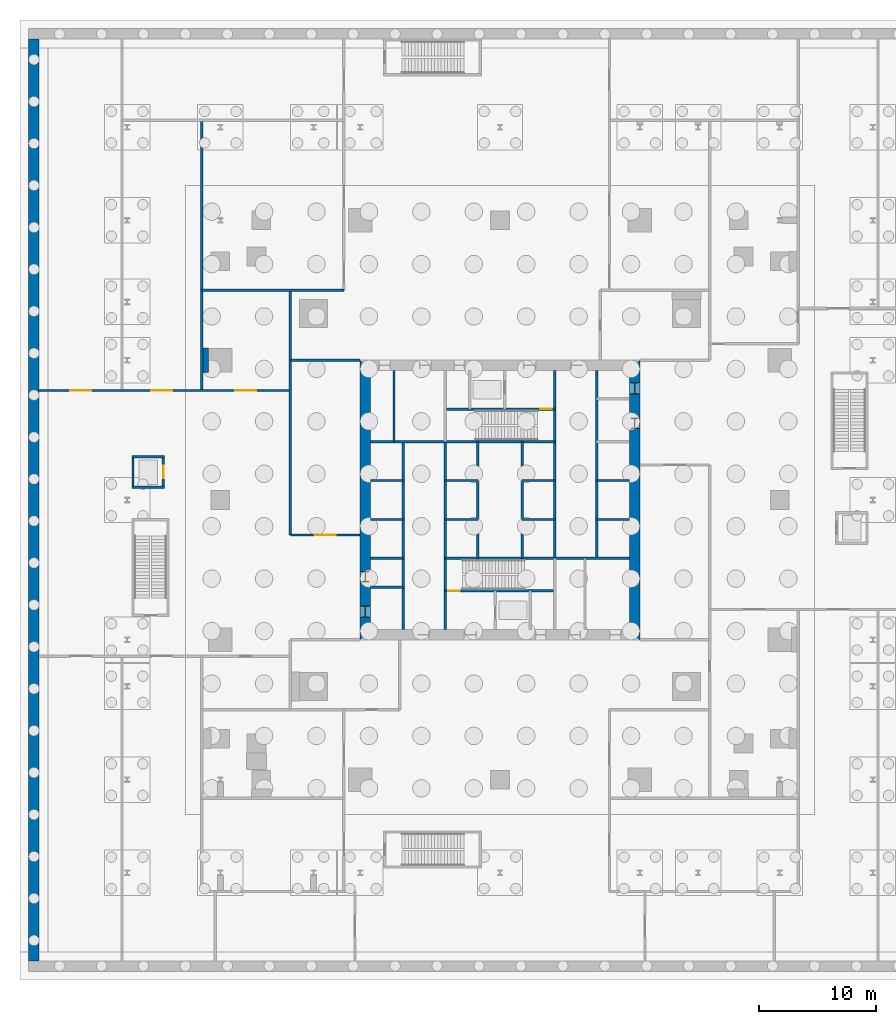
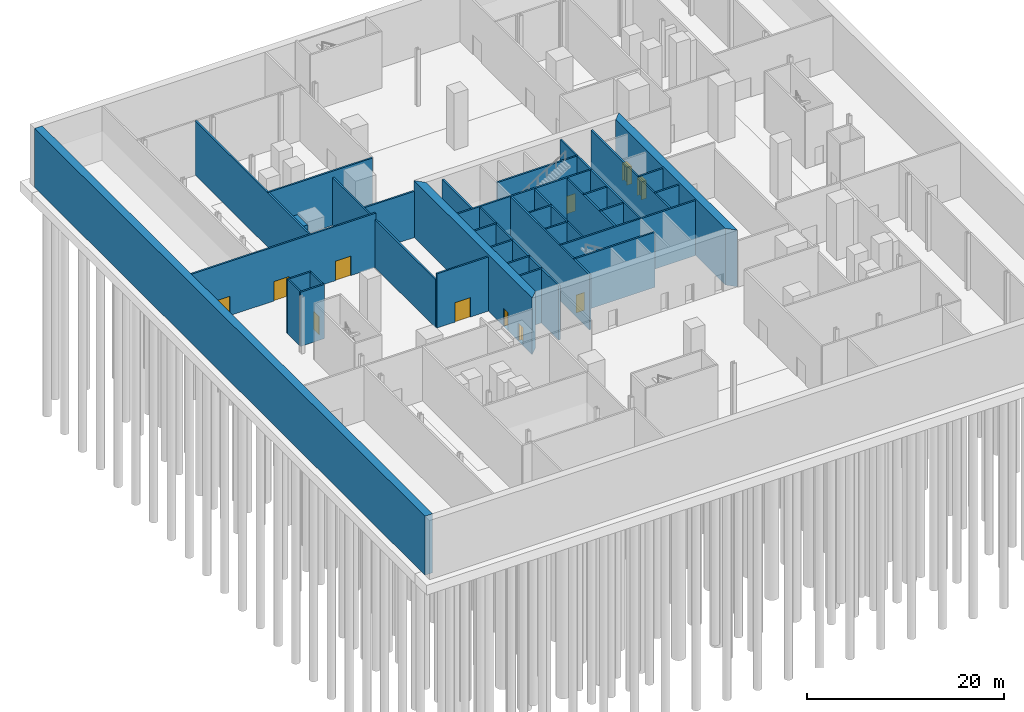
# One storey, part 8 of 15: 35 walls, 11 doors, 11 openings.
"""IFC4 building model written with IfcOpenShell, lengths in metres."""

from ifc_helpers import new_model, si_unit, direction, frame, frame_2d, origin, place, context, subcontext, project, spatial, polyline, rectangle, outline, extrude, material, layer, layer_set, type_object, element, fill, save


model = new_model("IFC4")

# Units and contexts
model_context = context("Model", 3, precision=1e-05, world=origin(), true_north=direction((0.0, 1.0)))
body_context = subcontext(model_context, "Body", "Model", "MODEL_VIEW")
ifc_project = project(units=[si_unit("LENGTHUNIT", "METRE"), si_unit("AREAUNIT", "SQUARE_METRE"), si_unit("VOLUMEUNIT", "CUBIC_METRE"), si_unit("PLANEANGLEUNIT", "RADIAN"), si_unit("MASSUNIT", "GRAM", prefix="KILO")], contexts=[model_context])

# Site, building, storey
site_placement = place(None, origin())
site = spatial("IfcSite", under=ifc_project, at=site_placement, CompositionType="ELEMENT")
building_placement = place(site_placement, origin())
building = spatial("IfcBuilding", under=site, at=building_placement, Name="Fenwick Lantern Interchange", CompositionType="ELEMENT")
storey_placement = place(building_placement, frame((0.0, 0.0, -7.0)))
storey = spatial("IfcBuildingStorey", under=building, at=storey_placement, Name="B-1", CompositionType="ELEMENT", Elevation=-7.0)

# Walls
ifc_material_1 = material(Name="Concrete f'c 45 MPa", Category="concrete")
ifc_layer_1 = layer(ifc_material_1, 0.89990234375)
ifc_layer_set_1 = layer_set([ifc_layer_1], Name="BASEMENT RETAINING WALL 900")
wall_type_1 = type_object("IfcWallType", Name="BASEMENT RETAINING WALL 900", PredefinedType="SOLIDWALL", material=ifc_layer_set_1)
wall_1_placement = place(storey_placement, frame((-15.0, 64.550048828125, -0.60009765625), z_axis=(0.0, 0.0, 1.0), x_axis=(0.0, -1.0, 0.0)))
element("IfcWall", 1, at=wall_1_placement, inside=storey, type_object=wall_type_1, Name="B-1/RW/W", PredefinedType="SOLIDWALL", context=body_context, shape_type="SweptSolid", body=[
    extrude(rectangle(XDim=79.10009765625, YDim=0.89990234375, at=frame_2d((39.550048828125, 0.0))), origin(), (0.0, 0.0, 1.0), 7.300048828125),
])
ifc_material_2 = material(Name="Fire-rated gypsum board encasement on steel studs, 2 hour", Category="steel")
ifc_layer_2 = layer(ifc_material_2, 2.10009765625)
ifc_layer_set_2 = layer_set([ifc_layer_2], Name="COLUMN PIER 2100")
wall_type_2 = type_object("IfcWallType", Name="COLUMN PIER 2100", PredefinedType="PARTITIONING", material=ifc_layer_set_2)
wall_2_placement = place(storey_placement, frame((-0.5, 37.0, 0.0), z_axis=(0.0, 0.0, 1.0), x_axis=(1.0, 0.0, 0.0)))
element("IfcWall", 2, at=wall_2_placement, inside=storey, type_object=wall_type_2, Name="B-1/W/PIER/CW2", PredefinedType="PARTITIONING", context=body_context, shape_type="SweptSolid", body=[
    extrude(rectangle(XDim=0.5, YDim=2.10009765625, at=frame_2d((0.25, 0.0))), origin(), (0.0, 0.0, 1.0), 6.699951171875),
])
ifc_material_3 = material(Name="Concrete masonry ASTM C90 Grade N", Category="masonry")
ifc_layer_3 = layer(ifc_material_3, 0.199951171875)
ifc_layer_set_3 = layer_set([ifc_layer_3], Name="Concrete masonry ASTM C90 Grade N")
wall_type_3 = type_object("IfcWallType", Name="CORE PARTITION 200", PredefinedType="PARTITIONING", material=ifc_layer_set_3)
wall_3_placement = place(storey_placement, frame((16.699951171875, 13.89990234375, 0.0), z_axis=(0.0, 0.0, 1.0), x_axis=(0.0, 1.0, 0.0)))
element("IfcWall", 3, at=wall_3_placement, inside=storey, type_object=wall_type_3, Name="B-1/W/CORES/a", PredefinedType="PARTITIONING", context=body_context, shape_type="SweptSolid", body=[
    extrude(rectangle(XDim=16.10009765625, YDim=0.199951171875, at=frame_2d((8.050048828125, 0.0))), origin(), (0.0, 0.0, 1.0), 6.699951171875),
])
for number, where, z_axis, x_axis, name in (
    (4, (13.89990234375, 20.0, 0.0), (0.0, 0.0, 1.0), (1.0, 0.0, 0.0), "B-1/W/CORES/c2"),
    (5, (13.89990234375, 23.333251953125, 0.0), (0.0, 0.0, 1.0), (1.0, 0.0, 0.0), "B-1/W/CORES/d1"),
    (6, (13.89990234375, 26.666748046875, 0.0), (0.0, 0.0, 1.0), (1.0, 0.0, 0.0), "B-1/W/CORES/d2"),
    (7, (20.300048828125, 23.333251953125, 0.0), (0.0, 0.0, 1.0), (1.0, 0.0, 0.0), "B-1/W/CORES/e1"),
    (8, (20.300048828125, 26.666748046875, 0.0), (0.0, 0.0, 1.0), (1.0, 0.0, 0.0), "B-1/W/CORES/e2"),
):
    element("IfcWall", number, at=place(storey_placement, frame(where, z_axis=z_axis, x_axis=x_axis)), inside=storey, type_object=wall_type_3, Name=name, PredefinedType="PARTITIONING", context=body_context, shape_type="SweptSolid", body=[
        extrude(rectangle(XDim=2.800048828125, YDim=0.199951171875, at=frame_2d((1.39990234375, 0.0))), origin(), (0.0, 0.0, 1.0), 6.699951171875),
    ])
wall_4_placement = place(storey_placement, frame((23.10009765625, 20.0, 0.0), z_axis=(0.0, 0.0, 1.0), x_axis=(0.0, 1.0, 0.0)))
element("IfcWall", 9, at=wall_4_placement, inside=storey, type_object=wall_type_3, Name="B-1/W/CORES/e3", PredefinedType="PARTITIONING", context=body_context, shape_type="SweptSolid", body=[
    extrude(rectangle(XDim=10.0, YDim=0.199951171875, at=frame_2d((5.0, 0.0))), origin(), (0.0, 0.0, 1.0), 6.699951171875),
])
wall_5_placement = place(storey_placement, frame((13.89990234375, 17.5, 0.0), z_axis=(0.0, 0.0, 1.0), x_axis=(1.0, 0.0, 0.0)))
element("IfcWall", 10, at=wall_5_placement, inside=storey, type_object=wall_type_3, Name="B-1/W/CORES/p1", PredefinedType="PARTITIONING", context=body_context, shape_type="SweptSolid", body=[
    extrude(rectangle(XDim=2.800048828125, YDim=0.199951171875, at=frame_2d((1.39990234375, 0.0))), origin(), (0.0, 0.0, 1.0), 6.699951171875),
])
wall_6_placement = place(storey_placement, frame((33.300048828125, 36.10009765625, 0.0), z_axis=(0.0, 0.0, 1.0), x_axis=(0.0, -1.0, 0.0)))
element("IfcWall", 11, at=wall_6_placement, inside=storey, type_object=wall_type_3, Name="B-1/W/COREN/a", PredefinedType="PARTITIONING", context=body_context, shape_type="SweptSolid", body=[
    extrude(rectangle(XDim=16.10009765625, YDim=0.199951171875, at=frame_2d((8.050048828125, 0.0))), origin(), (0.0, 0.0, 1.0), 6.699951171875),
])
for number, where, z_axis, x_axis, name in (
    (12, (36.10009765625, 26.666748046875, 0.0), (0.0, 0.0, 1.0), (-1.0, 0.0, 0.0), "B-1/W/COREN/d1"),
    (13, (36.10009765625, 23.333251953125, 0.0), (0.0, 0.0, 1.0), (-1.0, 0.0, 0.0), "B-1/W/COREN/d2"),
    (14, (29.699951171875, 26.666748046875, 0.0), (0.0, 0.0, 1.0), (-1.0, 0.0, 0.0), "B-1/W/COREN/e1"),
    (15, (29.699951171875, 23.333251953125, 0.0), (0.0, 0.0, 1.0), (-1.0, 0.0, 0.0), "B-1/W/COREN/e2"),
):
    element("IfcWall", number, at=place(storey_placement, frame(where, z_axis=z_axis, x_axis=x_axis)), inside=storey, type_object=wall_type_3, Name=name, PredefinedType="PARTITIONING", context=body_context, shape_type="SweptSolid", body=[
        extrude(rectangle(XDim=2.800048828125, YDim=0.199951171875, at=frame_2d((1.39990234375, 0.0))), origin(), (0.0, 0.0, 1.0), 6.699951171875),
    ])
wall_7_placement = place(storey_placement, frame((26.89990234375, 30.0, 0.0), z_axis=(0.0, 0.0, 1.0), x_axis=(0.0, -1.0, 0.0)))
element("IfcWall", 16, at=wall_7_placement, inside=storey, type_object=wall_type_3, Name="B-1/W/COREN/e3", PredefinedType="PARTITIONING", context=body_context, shape_type="SweptSolid", body=[
    extrude(rectangle(XDim=10.0, YDim=0.199951171875, at=frame_2d((5.0, 0.0))), origin(), (0.0, 0.0, 1.0), 6.699951171875),
])
wall_8_placement = place(storey_placement, frame((15.89990234375, 36.10009765625, 0.0), z_axis=(0.0, 0.0, 1.0), x_axis=(0.0, -1.0, 0.0)))
element("IfcWall", 17, at=wall_8_placement, inside=storey, type_object=wall_type_3, Name="B-1/W/COREN/i2", PredefinedType="PARTITIONING", context=body_context, shape_type="SweptSolid", body=[
    extrude(rectangle(XDim=6.10009765625, YDim=0.199951171875, at=frame_2d((3.050048828125, 0.0))), origin(), (0.0, 0.0, 1.0), 6.699951171875),
])

# Wall, openings, doors
ifc_material_4 = material(Name="Concrete f'c 70 MPa", Category="concrete")
ifc_layer_4 = layer(ifc_material_4, 0.89990234375)
ifc_layer_set_4 = layer_set([ifc_layer_4], Name="CORE WALL 900")
wall_type_4 = type_object("IfcWallType", Name="CORE WALL 900", PredefinedType="SHEAR", material=ifc_layer_set_4)
wall_9_placement = place(storey_placement, frame((36.550048828125, 13.89990234375, 0.0), z_axis=(0.0, 0.0, 1.0), x_axis=(0.0, 1.0, 0.0)))
wall_9 = element("IfcWall", 18, at=wall_9_placement, inside=storey, type_object=wall_type_4, Name="B-1/CORE/E", PredefinedType="SHEAR", context=body_context, shape_type="SweptSolid", body=[
    extrude(outline(polyline([(-0.89990234375, -0.449951171875), (23.10009765625, -0.449951171875), (22.199951171875, 0.449951171875), (0.0, 0.449951171875), (-0.89990234375, -0.449951171875)])), origin(), (0.0, 0.0, 1.0), 7.0),
])
opening_1_placement = place(wall_9_placement, frame((20.199951171875, 0.0, 0.0)))
opening_1 = element("IfcOpeningElement", 19, at=opening_1_placement, cuts=wall_9, Name="Opening B-1-D015", PredefinedType="OPENING", context=body_context, shape_type="SweptSolid", body=[
    extrude(rectangle(XDim=1.0, YDim=2.199951171875, at=frame_2d((0.5, 1.10009765625))), frame((0.0, 0.4599609375, 0.0), z_axis=(0.0, -1.0, 0.0), x_axis=(1.0, 0.0, 0.0)), (0.0, 0.0, 1.0), 0.919921875),
])
opening_2_placement = place(wall_9_placement, frame((17.25, 0.0, 0.0)))
opening_2 = element("IfcOpeningElement", 20, at=opening_2_placement, cuts=wall_9, Name="Opening B-1-D016", PredefinedType="OPENING", context=body_context, shape_type="SweptSolid", body=[
    extrude(rectangle(XDim=0.89990234375, YDim=2.199951171875, at=frame_2d((0.449951171875, 1.10009765625))), frame((0.0, 0.4599609375, 0.0), z_axis=(0.0, -1.0, 0.0), x_axis=(1.0, 0.0, 0.0)), (0.0, 0.0, 1.0), 0.919921875),
])
ifc_material_5 = material(Name="Steel door and frame", Category="steel")
door_type_1 = type_object("IfcDoorType", Name="SERVICE DOOR 1000 X 2200", OperationType="SINGLE_SWING_LEFT", PredefinedType="DOOR", material=ifc_material_5)
door_1_placement = place(opening_1_placement, origin())
door_1 = element("IfcDoor", 21, at=door_1_placement, inside=storey, type_object=door_type_1, Name="Service door", OperationType="SINGLE_SWING_LEFT", OverallHeight=2.199951171875, OverallWidth=1.0, PredefinedType="DOOR", context=body_context, shape_type="SweptSolid", body=[
    extrude(rectangle(XDim=1.0, YDim=2.199951171875, at=frame_2d((0.5, 1.10009765625))), frame((0.0, 0.02490234375, 0.0), z_axis=(0.0, -1.0, 0.0), x_axis=(1.0, 0.0, 0.0)), (0.0, 0.0, 1.0), 0.050048828125),
    extrude(outline(polyline([(0.0, 0.0), (0.0400390625, 0.0), (0.0400390625, 2.159912109375), (0.9599609375, 2.159912109375), (0.9599609375, 0.0), (1.0, 0.0), (1.0, 2.199951171875), (0.0, 2.199951171875), (0.0, 0.0)])), frame((0.0, 0.300048828125, 0.0), z_axis=(0.0, -1.0, 0.0), x_axis=(1.0, 0.0, 0.0)), (0.0, 0.0, 1.0), 0.60009765625),
])
fill(opening_1, door_1)
door_type_2 = type_object("IfcDoorType", Name="SERVICE DOOR 900 X 2200", OperationType="SINGLE_SWING_LEFT", PredefinedType="DOOR", material=ifc_material_5)
door_2_placement = place(opening_2_placement, origin())
door_2 = element("IfcDoor", 22, at=door_2_placement, inside=storey, type_object=door_type_2, Name="Service door", OperationType="SINGLE_SWING_LEFT", OverallHeight=2.199951171875, OverallWidth=0.89990234375, PredefinedType="DOOR", context=body_context, shape_type="SweptSolid", body=[
    extrude(rectangle(XDim=0.89990234375, YDim=2.199951171875, at=frame_2d((0.449951171875, 1.10009765625))), frame((0.0, 0.02490234375, 0.0), z_axis=(0.0, -1.0, 0.0), x_axis=(1.0, 0.0, 0.0)), (0.0, 0.0, 1.0), 0.050048828125),
    extrude(outline(polyline([(0.0, 0.0), (0.0400390625, 0.0), (0.0400390625, 2.159912109375), (0.85986328125, 2.159912109375), (0.85986328125, 0.0), (0.89990234375, 0.0), (0.89990234375, 2.199951171875), (0.0, 2.199951171875), (0.0, 0.0)])), frame((0.0, 0.300048828125, 0.0), z_axis=(0.0, -1.0, 0.0), x_axis=(1.0, 0.0, 0.0)), (0.0, 0.0, 1.0), 0.60009765625),
])
fill(opening_2, door_2)

wall_10_placement = place(storey_placement, frame((13.449951171875, 36.10009765625, 0.0), z_axis=(0.0, 0.0, 1.0), x_axis=(0.0, -1.0, 0.0)))
wall_10 = element("IfcWall", 23, at=wall_10_placement, inside=storey, type_object=wall_type_4, Name="B-1/CORE/W", PredefinedType="SHEAR", context=body_context, shape_type="SweptSolid", body=[
    extrude(outline(polyline([(-0.89990234375, -0.449951171875), (23.10009765625, -0.449951171875), (22.199951171875, 0.449951171875), (0.0, 0.449951171875), (-0.89990234375, -0.449951171875)])), origin(), (0.0, 0.0, 1.0), 7.0),
])
opening_3_placement = place(wall_10_placement, frame((20.199951171875, 0.0, 0.0)))
opening_3 = element("IfcOpeningElement", 24, at=opening_3_placement, cuts=wall_10, Name="Opening B-1-D007", PredefinedType="OPENING", context=body_context, shape_type="SweptSolid", body=[
    extrude(rectangle(XDim=1.0, YDim=2.199951171875, at=frame_2d((0.5, 1.10009765625))), frame((0.0, 0.4599609375, 0.0), z_axis=(0.0, -1.0, 0.0), x_axis=(1.0, 0.0, 0.0)), (0.0, 0.0, 1.0), 0.919921875),
])
opening_4_placement = place(wall_10_placement, frame((17.25, 0.0, 0.0)))
opening_4 = element("IfcOpeningElement", 25, at=opening_4_placement, cuts=wall_10, Name="Opening B-1-D008", PredefinedType="OPENING", context=body_context, shape_type="SweptSolid", body=[
    extrude(rectangle(XDim=0.89990234375, YDim=2.199951171875, at=frame_2d((0.449951171875, 1.10009765625))), frame((0.0, 0.4599609375, 0.0), z_axis=(0.0, -1.0, 0.0), x_axis=(1.0, 0.0, 0.0)), (0.0, 0.0, 1.0), 0.919921875),
])
door_3_placement = place(opening_4_placement, origin())
door_3 = element("IfcDoor", 26, at=door_3_placement, inside=storey, type_object=door_type_2, Name="Service door", OperationType="SINGLE_SWING_RIGHT", OverallHeight=2.199951171875, OverallWidth=0.89990234375, PredefinedType="DOOR", context=body_context, shape_type="SweptSolid", body=[
    extrude(rectangle(XDim=0.89990234375, YDim=2.199951171875, at=frame_2d((0.449951171875, 1.10009765625))), frame((0.0, 0.02490234375, 0.0), z_axis=(0.0, -1.0, 0.0), x_axis=(1.0, 0.0, 0.0)), (0.0, 0.0, 1.0), 0.050048828125),
    extrude(outline(polyline([(0.0, 0.0), (0.0400390625, 0.0), (0.0400390625, 2.159912109375), (0.85986328125, 2.159912109375), (0.85986328125, 0.0), (0.89990234375, 0.0), (0.89990234375, 2.199951171875), (0.0, 2.199951171875), (0.0, 0.0)])), frame((0.0, 0.300048828125, 0.0), z_axis=(0.0, -1.0, 0.0), x_axis=(1.0, 0.0, 0.0)), (0.0, 0.0, 1.0), 0.60009765625),
])
fill(opening_4, door_3)
ifc_material_6 = material(Name="Hardwood door and steel frame", Category="steel")
door_type_3 = type_object("IfcDoorType", Name="WC DOOR 1000 X 2200", OperationType="SINGLE_SWING_LEFT", PredefinedType="DOOR", material=ifc_material_6)
door_4_placement = place(opening_3_placement, origin())
door_4 = element("IfcDoor", 27, at=door_4_placement, inside=storey, type_object=door_type_3, Name="Wc door", OperationType="SINGLE_SWING_RIGHT", OverallHeight=2.199951171875, OverallWidth=1.0, PredefinedType="DOOR", context=body_context, shape_type="SweptSolid", body=[
    extrude(rectangle(XDim=1.0, YDim=2.199951171875, at=frame_2d((0.5, 1.10009765625))), frame((0.0, 0.02490234375, 0.0), z_axis=(0.0, -1.0, 0.0), x_axis=(1.0, 0.0, 0.0)), (0.0, 0.0, 1.0), 0.050048828125),
    extrude(outline(polyline([(0.0, 0.0), (0.0400390625, 0.0), (0.0400390625, 2.159912109375), (0.9599609375, 2.159912109375), (0.9599609375, 0.0), (1.0, 0.0), (1.0, 2.199951171875), (0.0, 2.199951171875), (0.0, 0.0)])), frame((0.0, 0.300048828125, 0.0), z_axis=(0.0, -1.0, 0.0), x_axis=(1.0, 0.0, 0.0)), (0.0, 0.0, 1.0), 0.60009765625),
])
fill(opening_3, door_4)

# Wall
ifc_layer_5 = layer(ifc_material_3, 0.199951171875)
ifc_layer_set_5 = layer_set([ifc_layer_5], Name="Concrete masonry ASTM C90 Grade N")
wall_type_5 = type_object("IfcWallType", Name="LIFT SHAFT WALL 200", PredefinedType="PARTITIONING", material=ifc_layer_set_5)
wall_11_placement = place(storey_placement, frame((-6.60009765625, 26.10009765625, 0.0), z_axis=(0.0, 0.0, 1.0), x_axis=(1.0, 0.0, 0.0)))
element("IfcWall", 28, at=wall_11_placement, inside=storey, type_object=wall_type_5, Name="B-1/W/PL1/S", PredefinedType="PARTITIONING", context=body_context, shape_type="SweptSolid", body=[
    extrude(rectangle(XDim=2.800048828125, YDim=0.199951171875, at=frame_2d((1.39990234375, 0.0))), origin(), (0.0, 0.0, 1.0), 6.699951171875),
])

# Wall, opening, door
wall_12_placement = place(storey_placement, frame((-3.89990234375, 26.199951171875, 0.0), z_axis=(0.0, 0.0, 1.0), x_axis=(0.0, 1.0, 0.0)))
wall_12 = element("IfcWall", 29, at=wall_12_placement, inside=storey, type_object=wall_type_5, Name="B-1/W/PL1/E", PredefinedType="PARTITIONING", context=body_context, shape_type="SweptSolid", body=[
    extrude(rectangle(XDim=2.400146484375, YDim=0.199951171875, at=frame_2d((1.2001953125, 0.0))), origin(), (0.0, 0.0, 1.0), 6.699951171875),
])
opening_5_placement = place(wall_12_placement, frame((0.64990234375, 0.0, 0.0)))
opening_5 = element("IfcOpeningElement", 30, at=opening_5_placement, cuts=wall_12, Name="Opening LD-PL1", PredefinedType="OPENING", context=body_context, shape_type="SweptSolid", body=[
    extrude(rectangle(XDim=1.10009765625, YDim=2.199951171875, at=frame_2d((0.550048828125, 1.10009765625))), frame((0.0, 0.10986328125, 0.0), z_axis=(0.0, -1.0, 0.0), x_axis=(1.0, 0.0, 0.0)), (0.0, 0.0, 1.0), 0.219970703125),
])
door_type_4 = type_object("IfcDoorType", Name="LIFT LANDING DOOR 1100 X 2200", OperationType="DOUBLE_DOOR_SLIDING", PredefinedType="DOOR", material=ifc_material_5)
door_5_placement = place(opening_5_placement, origin())
door_5 = element("IfcDoor", 31, at=door_5_placement, inside=storey, type_object=door_type_4, Name="Lift landing door PL1", OperationType="DOUBLE_DOOR_SLIDING", OverallHeight=2.199951171875, OverallWidth=1.10009765625, PredefinedType="DOOR", context=body_context, shape_type="SweptSolid", body=[
    extrude(rectangle(XDim=1.10009765625, YDim=2.199951171875, at=frame_2d((0.550048828125, 1.10009765625))), frame((0.0, 0.02490234375, 0.0), z_axis=(0.0, -1.0, 0.0), x_axis=(1.0, 0.0, 0.0)), (0.0, 0.0, 1.0), 0.050048828125),
])
fill(opening_5, door_5)

# Walls
wall_13_placement = place(storey_placement, frame((-3.800048828125, 28.699951171875, 0.0), z_axis=(0.0, 0.0, 1.0), x_axis=(-1.0, 0.0, 0.0)))
element("IfcWall", 32, at=wall_13_placement, inside=storey, type_object=wall_type_5, Name="B-1/W/PL1/N", PredefinedType="PARTITIONING", context=body_context, shape_type="SweptSolid", body=[
    extrude(rectangle(XDim=2.800048828125, YDim=0.199951171875, at=frame_2d((1.39990234375, 0.0))), origin(), (0.0, 0.0, 1.0), 6.699951171875),
])
wall_14_placement = place(storey_placement, frame((-6.5, 28.60009765625, 0.0), z_axis=(0.0, 0.0, 1.0), x_axis=(0.0, -1.0, 0.0)))
element("IfcWall", 33, at=wall_14_placement, inside=storey, type_object=wall_type_5, Name="B-1/W/PL1/W", PredefinedType="PARTITIONING", context=body_context, shape_type="SweptSolid", body=[
    extrude(rectangle(XDim=2.400146484375, YDim=0.199951171875, at=frame_2d((1.2001953125, 0.0))), origin(), (0.0, 0.0, 1.0), 6.699951171875),
])
ifc_material_7 = material(Name="Gypsum board on steel studs, 1 hour", Category="steel")
ifc_layer_6 = layer(ifc_material_7, 0.199951171875)
ifc_layer_set_6 = layer_set([ifc_layer_6], Name="ROOM WALL 200")
wall_type_6 = type_object("IfcWallType", Name="ROOM WALL 200", PredefinedType="PARTITIONING", material=ifc_layer_set_6)
wall_15_placement = place(storey_placement, frame((-0.60009765625, 34.39990234375, 0.0), z_axis=(0.0, 0.0, 1.0), x_axis=(0.0, 1.0, 0.0)))
element("IfcWall", 34, at=wall_15_placement, inside=storey, type_object=wall_type_6, Name="B-1/W/POD/X-0.6-2", PredefinedType="PARTITIONING", context=body_context, shape_type="SweptSolid", body=[
    extrude(rectangle(XDim=23.2001953125, YDim=0.199951171875, at=frame_2d((11.60009765625, 0.0))), origin(), (0.0, 0.0, 1.0), 6.699951171875),
])
wall_16_placement = place(storey_placement, frame((7.0, 22.0, 0.0), z_axis=(0.0, 0.0, 1.0), x_axis=(0.0, 1.0, 0.0)))
element("IfcWall", 35, at=wall_16_placement, inside=storey, type_object=wall_type_6, Name="B-1/W/POD/X7-2", PredefinedType="PARTITIONING", context=body_context, shape_type="SweptSolid", body=[
    extrude(rectangle(XDim=21.0, YDim=0.199951171875, at=frame_2d((10.5, 0.0))), origin(), (0.0, 0.0, 1.0), 5.920166015625),
])

# Wall, opening, door
wall_17_placement = place(storey_placement, frame((7.0, 22.0, 0.0), z_axis=(0.0, 0.0, 1.0), x_axis=(1.0, 0.0, 0.0)))
wall_17 = element("IfcWall", 36, at=wall_17_placement, inside=storey, type_object=wall_type_6, Name="B-1/W/POD/Y22-1", PredefinedType="PARTITIONING", context=body_context, shape_type="SweptSolid", body=[
    extrude(rectangle(XDim=6.0, YDim=0.199951171875, at=frame_2d((3.0, 0.0))), origin(), (0.0, 0.0, 1.0), 6.699951171875),
])
opening_6_placement = place(wall_17_placement, frame((2.099853515625, 0.0, 0.0)))
opening_6 = element("IfcOpeningElement", 37, at=opening_6_placement, cuts=wall_17, Name="Opening B-1-D047", PredefinedType="OPENING", context=body_context, shape_type="SweptSolid", body=[
    extrude(rectangle(XDim=1.800048828125, YDim=2.39990234375, at=frame_2d((0.89990234375, 1.199951171875))), frame((0.0, 0.10986328125, 0.0), z_axis=(0.0, -1.0, 0.0), x_axis=(1.0, 0.0, 0.0)), (0.0, 0.0, 1.0), 0.219970703125),
])
door_type_5 = type_object("IfcDoorType", Name="ROOM DOOR PAIR 1800 X 2400", OperationType="DOUBLE_DOOR_SINGLE_SWING", PredefinedType="DOOR", material=ifc_material_5)
door_6_placement = place(opening_6_placement, frame((1.800048828125, 0.0, 0.0), z_axis=(0.0, 0.0, 1.0), x_axis=(-1.0, 0.0, 0.0)))
door_6 = element("IfcDoor", 38, at=door_6_placement, inside=storey, type_object=door_type_5, Name="Room door pair", OperationType="DOUBLE_DOOR_SINGLE_SWING", OverallHeight=2.39990234375, OverallWidth=1.800048828125, PredefinedType="DOOR", context=body_context, shape_type="SweptSolid", body=[
    extrude(rectangle(XDim=1.800048828125, YDim=2.39990234375, at=frame_2d((0.89990234375, 1.199951171875))), frame((0.0, 0.02490234375, 0.0), z_axis=(0.0, -1.0, 0.0), x_axis=(1.0, 0.0, 0.0)), (0.0, 0.0, 1.0), 0.050048828125),
])
fill(opening_6, door_6)

# Wall, openings, doors
wall_18_placement = place(storey_placement, frame((-14.550048828125, 34.39990234375, 0.0), z_axis=(0.0, 0.0, 1.0), x_axis=(1.0, 0.0, 0.0)))
wall_18 = element("IfcWall", 39, at=wall_18_placement, inside=storey, type_object=wall_type_6, Name="B-1/W/POD/Y34.4-1", PredefinedType="PARTITIONING", context=body_context, shape_type="SweptSolid", body=[
    extrude(rectangle(XDim=21.550048828125, YDim=0.199951171875, at=frame_2d((10.77490234375, 0.0))), origin(), (0.0, 0.0, 1.0), 6.699951171875),
])
opening_7_placement = place(wall_18_placement, frame((16.824951171875, 0.0, 0.0)))
opening_7 = element("IfcOpeningElement", 40, at=opening_7_placement, cuts=wall_18, Name="Opening B-1-D041", PredefinedType="OPENING", context=body_context, shape_type="SweptSolid", body=[
    extrude(rectangle(XDim=1.800048828125, YDim=2.39990234375, at=frame_2d((0.89990234375, 1.199951171875))), frame((0.0, 0.10986328125, 0.0), z_axis=(0.0, -1.0, 0.0), x_axis=(1.0, 0.0, 0.0)), (0.0, 0.0, 1.0), 0.219970703125),
])
opening_8_placement = place(wall_18_placement, frame((9.625, 0.0, 0.0)))
opening_8 = element("IfcOpeningElement", 41, at=opening_8_placement, cuts=wall_18, Name="Opening B-1-D042", PredefinedType="OPENING", context=body_context, shape_type="SweptSolid", body=[
    extrude(rectangle(XDim=1.800048828125, YDim=2.39990234375, at=frame_2d((0.89990234375, 1.199951171875))), frame((0.0, 0.10986328125, 0.0), z_axis=(0.0, -1.0, 0.0), x_axis=(1.0, 0.0, 0.0)), (0.0, 0.0, 1.0), 0.219970703125),
])
opening_9_placement = place(wall_18_placement, frame((2.675048828125, 0.0, 0.0)))
opening_9 = element("IfcOpeningElement", 42, at=opening_9_placement, cuts=wall_18, Name="Opening B-1-D043", PredefinedType="OPENING", context=body_context, shape_type="SweptSolid", body=[
    extrude(rectangle(XDim=1.800048828125, YDim=2.39990234375, at=frame_2d((0.89990234375, 1.199951171875))), frame((0.0, 0.10986328125, 0.0), z_axis=(0.0, -1.0, 0.0), x_axis=(1.0, 0.0, 0.0)), (0.0, 0.0, 1.0), 0.219970703125),
])
door_7_placement = place(opening_7_placement, frame((1.800048828125, 0.0, 0.0), z_axis=(0.0, 0.0, 1.0), x_axis=(-1.0, 0.0, 0.0)))
door_7 = element("IfcDoor", 43, at=door_7_placement, inside=storey, type_object=door_type_5, Name="Room door pair", OperationType="DOUBLE_DOOR_SINGLE_SWING", OverallHeight=2.39990234375, OverallWidth=1.800048828125, PredefinedType="DOOR", context=body_context, shape_type="SweptSolid", body=[
    extrude(rectangle(XDim=1.800048828125, YDim=2.39990234375, at=frame_2d((0.89990234375, 1.199951171875))), frame((0.0, 0.02490234375, 0.0), z_axis=(0.0, -1.0, 0.0), x_axis=(1.0, 0.0, 0.0)), (0.0, 0.0, 1.0), 0.050048828125),
])
fill(opening_7, door_7)
door_8_placement = place(opening_8_placement, frame((1.800048828125, 0.0, 0.0), z_axis=(0.0, 0.0, 1.0), x_axis=(-1.0, 0.0, 0.0)))
door_8 = element("IfcDoor", 44, at=door_8_placement, inside=storey, type_object=door_type_5, Name="Room door pair", OperationType="DOUBLE_DOOR_SINGLE_SWING", OverallHeight=2.39990234375, OverallWidth=1.800048828125, PredefinedType="DOOR", context=body_context, shape_type="SweptSolid", body=[
    extrude(rectangle(XDim=1.800048828125, YDim=2.39990234375, at=frame_2d((0.89990234375, 1.199951171875))), frame((0.0, 0.02490234375, 0.0), z_axis=(0.0, -1.0, 0.0), x_axis=(1.0, 0.0, 0.0)), (0.0, 0.0, 1.0), 0.050048828125),
])
fill(opening_8, door_8)
door_9_placement = place(opening_9_placement, frame((1.800048828125, 0.0, 0.0), z_axis=(0.0, 0.0, 1.0), x_axis=(-1.0, 0.0, 0.0)))
door_9 = element("IfcDoor", 45, at=door_9_placement, inside=storey, type_object=door_type_5, Name="Room door pair", OperationType="DOUBLE_DOOR_SINGLE_SWING", OverallHeight=2.39990234375, OverallWidth=1.800048828125, PredefinedType="DOOR", context=body_context, shape_type="SweptSolid", body=[
    extrude(rectangle(XDim=1.800048828125, YDim=2.39990234375, at=frame_2d((0.89990234375, 1.199951171875))), frame((0.0, 0.02490234375, 0.0), z_axis=(0.0, -1.0, 0.0), x_axis=(1.0, 0.0, 0.0)), (0.0, 0.0, 1.0), 0.050048828125),
])
fill(opening_9, door_9)

# Walls
wall_19_placement = place(storey_placement, frame((7.0, 37.0, 0.0), z_axis=(0.0, 0.0, 1.0), x_axis=(1.0, 0.0, 0.0)))
element("IfcWall", 46, at=wall_19_placement, inside=storey, type_object=wall_type_6, Name="B-1/W/POD/Y37-1", PredefinedType="PARTITIONING", context=body_context, shape_type="SweptSolid", body=[
    extrude(rectangle(XDim=6.0, YDim=0.199951171875, at=frame_2d((3.0, 0.0))), origin(), (0.0, 0.0, 1.0), 5.724609375),
])
wall_20_placement = place(storey_placement, frame((-0.60009765625, 43.0, 0.0), z_axis=(0.0, 0.0, 1.0), x_axis=(1.0, 0.0, 0.0)))
element("IfcWall", 47, at=wall_20_placement, inside=storey, type_object=wall_type_6, Name="B-1/W/POD/Y43-1", PredefinedType="PARTITIONING", context=body_context, shape_type="SweptSolid", body=[
    extrude(rectangle(XDim=12.2001953125, YDim=0.199951171875, at=frame_2d((6.10009765625, 0.0))), origin(), (0.0, 0.0, 1.0), 6.699951171875),
])
ifc_layer_7 = layer(ifc_material_1, 0.199951171875)
ifc_layer_set_7 = layer_set([ifc_layer_7], Name="STAIR CORE WALL 200")
wall_type_7 = type_object("IfcWallType", Name="STAIR CORE WALL 200", PredefinedType="SOLIDWALL", material=ifc_layer_set_7)
wall_21_placement = place(storey_placement, frame((20.300048828125, 13.89990234375, 0.0), z_axis=(0.0, 0.0, 1.0), x_axis=(0.0, 1.0, 0.0)))
element("IfcWall", 48, at=wall_21_placement, inside=storey, type_object=wall_type_7, Name="B-1/W/CORES/b", PredefinedType="SOLIDWALL", context=body_context, shape_type="SweptSolid", body=[
    extrude(rectangle(XDim=16.10009765625, YDim=0.199951171875, at=frame_2d((8.050048828125, 0.0))), origin(), (0.0, 0.0, 1.0), 6.800048828125),
])

# Wall, opening, door
wall_22_placement = place(storey_placement, frame((20.300048828125, 17.199951171875, 0.0), z_axis=(0.0, 0.0, 1.0), x_axis=(1.0, 0.0, 0.0)))
wall_22 = element("IfcWall", 49, at=wall_22_placement, inside=storey, type_object=wall_type_7, Name="B-1/W/CORES/g1", PredefinedType="SOLIDWALL", context=body_context, shape_type="SweptSolid", body=[
    extrude(rectangle(XDim=9.39990234375, YDim=0.199951171875, at=frame_2d((4.699951171875, 0.0))), origin(), (0.0, 0.0, 1.0), 6.800048828125),
])
opening_10_placement = place(wall_22_placement, frame((0.25, 0.0, 0.0)))
opening_10 = element("IfcOpeningElement", 50, at=opening_10_placement, cuts=wall_22, Name="Opening B-1-D003", PredefinedType="OPENING", context=body_context, shape_type="SweptSolid", body=[
    extrude(rectangle(XDim=1.0, YDim=2.199951171875, at=frame_2d((0.5, 1.10009765625))), frame((0.0, 0.10986328125, 0.0), z_axis=(0.0, -1.0, 0.0), x_axis=(1.0, 0.0, 0.0)), (0.0, 0.0, 1.0), 0.219970703125),
])
door_type_6 = type_object("IfcDoorType", Name="STAIR DOOR 1000 X 2200", OperationType="SINGLE_SWING_LEFT", PredefinedType="DOOR", material=ifc_material_5)
door_10_placement = place(opening_10_placement, origin())
door_10 = element("IfcDoor", 51, at=door_10_placement, inside=storey, type_object=door_type_6, Name="Stair door", OperationType="SINGLE_SWING_LEFT", OverallHeight=2.199951171875, OverallWidth=1.0, PredefinedType="DOOR", context=body_context, shape_type="SweptSolid", body=[
    extrude(rectangle(XDim=1.0, YDim=2.199951171875, at=frame_2d((0.5, 1.10009765625))), frame((0.0, 0.02490234375, 0.0), z_axis=(0.0, -1.0, 0.0), x_axis=(1.0, 0.0, 0.0)), (0.0, 0.0, 1.0), 0.050048828125),
])
fill(opening_10, door_10)

# Walls
wall_23_placement = place(storey_placement, frame((20.300048828125, 20.0, 0.0), z_axis=(0.0, 0.0, 1.0), x_axis=(1.0, 0.0, 0.0)))
element("IfcWall", 52, at=wall_23_placement, inside=storey, type_object=wall_type_7, Name="B-1/W/CORES/g2", PredefinedType="SOLIDWALL", context=body_context, shape_type="SweptSolid", body=[
    extrude(rectangle(XDim=15.800048828125, YDim=0.199951171875, at=frame_2d((7.89990234375, 0.0))), origin(), (0.0, 0.0, 1.0), 6.800048828125),
])
wall_24_placement = place(storey_placement, frame((29.699951171875, 36.10009765625, 0.0), z_axis=(0.0, 0.0, 1.0), x_axis=(0.0, -1.0, 0.0)))
element("IfcWall", 53, at=wall_24_placement, inside=storey, type_object=wall_type_7, Name="B-1/W/COREN/b", PredefinedType="SOLIDWALL", context=body_context, shape_type="SweptSolid", body=[
    extrude(rectangle(XDim=16.10009765625, YDim=0.199951171875, at=frame_2d((8.050048828125, 0.0))), origin(), (0.0, 0.0, 1.0), 6.800048828125),
])

# Wall, opening, door
wall_25_placement = place(storey_placement, frame((29.699951171875, 32.800048828125, 0.0), z_axis=(0.0, 0.0, 1.0), x_axis=(-1.0, 0.0, 0.0)))
wall_25 = element("IfcWall", 54, at=wall_25_placement, inside=storey, type_object=wall_type_7, Name="B-1/W/COREN/g1", PredefinedType="SOLIDWALL", context=body_context, shape_type="SweptSolid", body=[
    extrude(rectangle(XDim=9.39990234375, YDim=0.199951171875, at=frame_2d((4.699951171875, 0.0))), origin(), (0.0, 0.0, 1.0), 6.800048828125),
])
opening_11_placement = place(wall_25_placement, frame((0.25, 0.0, 0.0)))
opening_11 = element("IfcOpeningElement", 55, at=opening_11_placement, cuts=wall_25, Name="Opening B-1-D011", PredefinedType="OPENING", context=body_context, shape_type="SweptSolid", body=[
    extrude(rectangle(XDim=1.0, YDim=2.199951171875, at=frame_2d((0.5, 1.10009765625))), frame((0.0, 0.10986328125, 0.0), z_axis=(0.0, -1.0, 0.0), x_axis=(1.0, 0.0, 0.0)), (0.0, 0.0, 1.0), 0.219970703125),
])
door_11_placement = place(opening_11_placement, origin())
door_11 = element("IfcDoor", 56, at=door_11_placement, inside=storey, type_object=door_type_6, Name="Stair door", OperationType="SINGLE_SWING_LEFT", OverallHeight=2.199951171875, OverallWidth=1.0, PredefinedType="DOOR", context=body_context, shape_type="SweptSolid", body=[
    extrude(rectangle(XDim=1.0, YDim=2.199951171875, at=frame_2d((0.5, 1.10009765625))), frame((0.0, 0.02490234375, 0.0), z_axis=(0.0, -1.0, 0.0), x_axis=(1.0, 0.0, 0.0)), (0.0, 0.0, 1.0), 0.050048828125),
])
fill(opening_11, door_11)

# Wall
wall_26_placement = place(storey_placement, frame((29.699951171875, 30.0, 0.0), z_axis=(0.0, 0.0, 1.0), x_axis=(-1.0, 0.0, 0.0)))
element("IfcWall", 57, at=wall_26_placement, inside=storey, type_object=wall_type_7, Name="B-1/W/COREN/g2", PredefinedType="SOLIDWALL", context=body_context, shape_type="SweptSolid", body=[
    extrude(rectangle(XDim=15.800048828125, YDim=0.199951171875, at=frame_2d((7.89990234375, 0.0))), origin(), (0.0, 0.0, 1.0), 6.800048828125),
])

save(model, "model.ifc")
